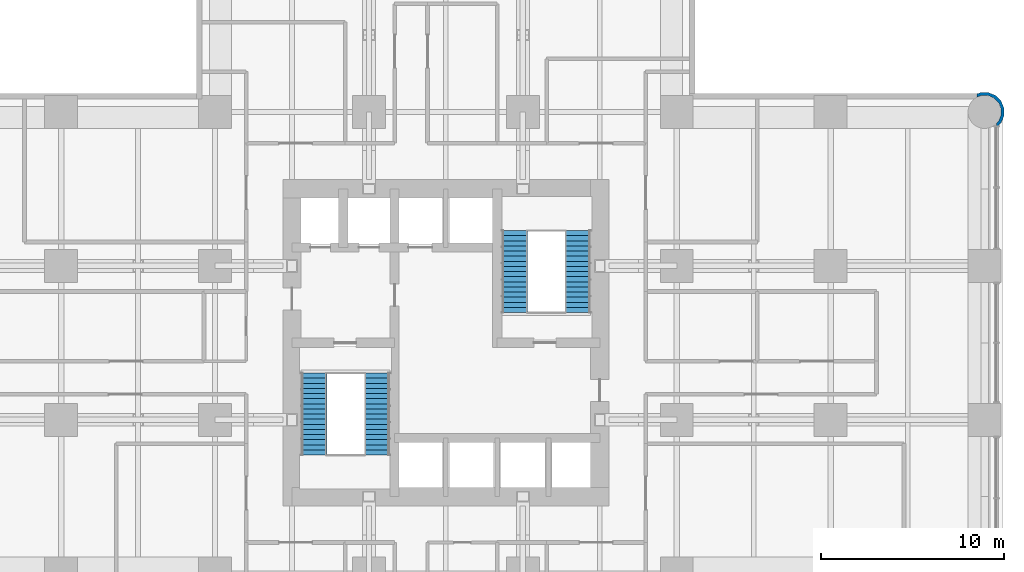
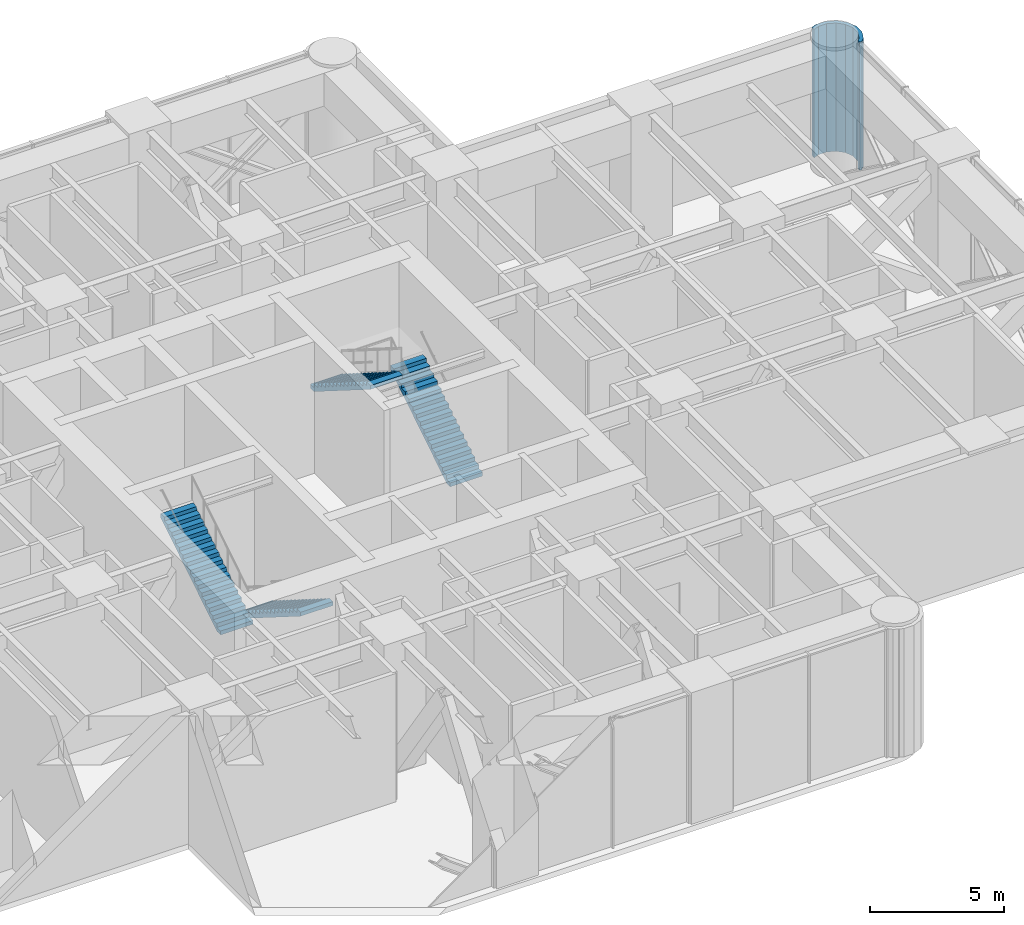
# One storey, part 11 of 13: 4 stair flights, 1 wall, 2 elements without a shape of their own.
"""IFC4 building model written with IfcOpenShell, lengths in metres."""

import ifcopenshell
import ifcopenshell.guid

model = None  # the IFC model being written
_history = None  # IfcOwnerHistory: only IFC2X3 demands one
_inside = {}  # id of a spatial element -> (the spatial element, [elements in it])
_under = {}  # id of a project, library or spatial element -> (it, [spatial elements below it])
_declared = {}  # id of a project -> (the project, [libraries it declares])
_typed = {}  # id of a type object -> (the type object, [elements of that type])
_made_of = {}  # id of a material, layer set ... -> (it, [elements and type objects made of it])


def new_model(schema):
    """Start an empty IFC model of exactly this schema.

    Asked for "IFC4X3", IfcOpenShell would pick the latest addendum, in which some entities
    have other attributes; the version numbers below select the first issue.
    IFC2X3 requires an IfcOwnerHistory on every rooted entity: one is made here for all.
    """
    global model, _history
    if schema == "IFC4X3":
        model = ifcopenshell.file(schema_version=(4, 3, 0, 0))
    else:
        model = ifcopenshell.file(schema=schema)
    _inside.clear()
    _under.clear()
    _declared.clear()
    _typed.clear()
    _made_of.clear()
    _history = None
    if model.schema == "IFC2X3":
        org = make("IfcOrganization", Name="unknown")
        user = make(
            "IfcPersonAndOrganization",
            ThePerson=make("IfcPerson", FamilyName="unknown"),
            TheOrganization=org,
        )
        app = make(
            "IfcApplication",
            ApplicationDeveloper=org,
            Version="unknown",
            ApplicationFullName="unknown",
            ApplicationIdentifier="unknown",
        )
        _history = make(
            "IfcOwnerHistory",
            OwningUser=user,
            OwningApplication=app,
            ChangeAction="ADDED",
            CreationDate=0,
        )
    return model


def make(cls, **values):
    """One entity of the class cls with the attributes given. An attribute that is None is left unset."""
    return model.create_entity(
        cls, **{name: value for name, value in values.items() if value is not None}
    )


def rooted(cls, **values):
    """An entity with a GlobalId (a new one), such as an element, a storey or a relation."""
    return make(cls, GlobalId=ifcopenshell.guid.new(), OwnerHistory=_history, **values)


def si_unit(unit_type, name, prefix=None):
    """IfcSIUnit, for example si_unit("LENGTHUNIT", "METRE", prefix="MILLI")."""
    return make("IfcSIUnit", UnitType=unit_type, Prefix=prefix, Name=name)


def assignment(units):
    """IfcUnitAssignment: the units of a project."""
    return None if units is None else make("IfcUnitAssignment", Units=units)


def point(xyz):
    """IfcCartesianPoint."""
    return None if xyz is None else make("IfcCartesianPoint", Coordinates=xyz)


def direction(xyz):
    """IfcDirection."""
    return None if xyz is None else make("IfcDirection", DirectionRatios=xyz)


def frame(location, z_axis=None, x_axis=None):
    """IfcAxis2Placement3D, a coordinate frame: its origin and axes. An axis left out is left unset."""
    return make(
        "IfcAxis2Placement3D",
        Location=point(location),
        Axis=direction(z_axis),
        RefDirection=direction(x_axis),
    )


def origin():
    """The frame at (0, 0, 0) with its axes left unset."""
    return frame((0.0, 0.0, 0.0))


def place(relative_to, where):
    """IfcLocalPlacement: puts the frame where relative to a parent placement (None: the world)."""
    return make(
        "IfcLocalPlacement", PlacementRelTo=relative_to, RelativePlacement=where
    )


def context(
    kind, dimensions, precision=None, world=None, true_north=None, identifier=None
):
    """IfcGeometricRepresentationContext, for example the 3D "Model" context."""
    return make(
        "IfcGeometricRepresentationContext",
        ContextIdentifier=identifier,
        ContextType=kind,
        CoordinateSpaceDimension=dimensions,
        Precision=precision,
        WorldCoordinateSystem=world,
        TrueNorth=true_north,
    )


def subcontext(parent, identifier, kind, view, scale=None):
    """IfcGeometricRepresentationSubContext, for example "Body" below "Model"."""
    return make(
        "IfcGeometricRepresentationSubContext",
        ContextIdentifier=identifier,
        ContextType=kind,
        ParentContext=parent,
        TargetScale=scale,
        TargetView=view,
    )


def project(units=None, contexts=None):
    """IfcProject with its units and contexts."""
    return rooted(
        "IfcProject",
        Name="project",
        RepresentationContexts=contexts,
        UnitsInContext=assignment(units),
    )


def spatial(cls, under=None, at=None, **own):
    """A site, building, storey or space (cls), placed at a placement, below another one or the project."""
    s = rooted(cls, ObjectPlacement=at, **own)
    if under is not None:
        _under.setdefault(under.id(), (under, []))[1].append(s)
    return s


def polyline(points):
    """IfcPolyline through the points."""
    return make("IfcPolyline", Points=[point(p) for p in points])


def outline(outer, holes=None, kind="AREA"):
    """IfcArbitraryClosedProfileDef: a profile drawn as a closed curve; with holes, ...WithVoids."""
    if holes is None:
        return make("IfcArbitraryClosedProfileDef", ProfileType=kind, OuterCurve=outer)
    return make(
        "IfcArbitraryProfileDefWithVoids",
        ProfileType=kind,
        OuterCurve=outer,
        InnerCurves=holes,
    )


def extrude(swept, where, along, depth):
    """IfcExtrudedAreaSolid: the profile swept, set in the frame where, extruded along a direction by depth."""
    return make(
        "IfcExtrudedAreaSolid",
        SweptArea=swept,
        Position=where,
        ExtrudedDirection=direction(along),
        Depth=depth,
    )


def shape(context_of_items, identifier, shape_type, items):
    """IfcShapeRepresentation: the items that make up one representation, for example the "Body"."""
    return make(
        "IfcShapeRepresentation",
        ContextOfItems=context_of_items,
        RepresentationIdentifier=identifier,
        RepresentationType=shape_type,
        Items=items,
    )


def material(Name=None, Category=None):
    """IfcMaterial."""
    return make("IfcMaterial", Name=Name, Category=Category)


def layer(
    of_material, thickness, ventilated=None, Name=None, Category=None, Priority=None
):
    """IfcMaterialLayer: one layer of a wall or slab, of a material (None: an air gap)."""
    return make(
        "IfcMaterialLayer",
        Material=of_material,
        LayerThickness=thickness,
        IsVentilated=ventilated,
        Name=Name,
        Category=Category,
        Priority=Priority,
    )


def layer_set(layers, Name=None):
    """IfcMaterialLayerSet."""
    return make("IfcMaterialLayerSet", MaterialLayers=layers, LayerSetName=Name)


def made_of(thing, what):
    """Note that an element or type object is made of a material, layer set ...; save() writes the relation."""
    if what is not None:
        _made_of.setdefault(what.id(), (what, []))[1].append(thing)
    return thing


def type_object(cls, material=None, **own):
    """A type object (cls), such as IfcWallType, which elements share."""
    return made_of(rooted(cls, **own), material)


def element(
    cls,
    number,
    at=None,
    inside=None,
    cuts=None,
    type_object=None,
    material=None,
    context=None,
    identifier="Body",
    shape_type=None,
    held_by="IfcProductDefinitionShape",
    body=None,
    shapes=None,
    **own,
):
    """One element of the class cls, such as IfcWall. Its Tag is "e" and its number.

    at: its placement. inside: the storey or other place that contains it. cuts: it is an
    opening in that element (IfcRelVoidsElement). A single representation is given by context,
    identifier, shape_type and body (its items); several are given by shapes. held_by: the class
    of the entity that holds the representations. save() writes the other relations.
    """
    e = rooted(cls, Tag="e%d" % number, ObjectPlacement=at, **own)
    if body is not None:
        shapes = [shape(context, identifier, shape_type, body)]
    if shapes is not None:
        e.Representation = make(held_by, Representations=shapes)
    if inside is not None:
        _inside.setdefault(inside.id(), (inside, []))[1].append(e)
    if cuts is not None:
        rooted(
            "IfcRelVoidsElement", RelatingBuildingElement=cuts, RelatedOpeningElement=e
        )
    if type_object is not None:
        _typed.setdefault(type_object.id(), (type_object, []))[1].append(e)
    return made_of(e, material)


def aggregate(whole, parts):
    """IfcRelAggregates: a whole, such as a stair, and the parts it consists of."""
    return rooted("IfcRelAggregates", RelatingObject=whole, RelatedObjects=parts)


def save(model, path):
    """Write the relations noted so far, then the file.

    IfcRelAggregates (storeys below a building ...), IfcRelContainedInSpatialStructure (elements
    in a storey), IfcRelDefinesByType, IfcRelAssociatesMaterial and IfcRelDeclares: one each for
    every whole, place, type object, material and project.
    """
    for whole, parts in _under.values():
        aggregate(whole, parts)
    for where, things in _inside.values():
        rooted(
            "IfcRelContainedInSpatialStructure",
            RelatedElements=things,
            RelatingStructure=where,
        )
    for kind, things in _typed.values():
        rooted("IfcRelDefinesByType", RelatedObjects=things, RelatingType=kind)
    for what, things in _made_of.values():
        rooted("IfcRelAssociatesMaterial", RelatedObjects=things, RelatingMaterial=what)
    for by, libraries in _declared.values():
        rooted("IfcRelDeclares", RelatingContext=by, RelatedDefinitions=libraries)
    model.write(path)


model = new_model("IFC4")

# Units and contexts
model_context = context("Model", 3, precision=1e-05, world=origin(), true_north=direction((0.0, 1.0)))
body_context = subcontext(model_context, "Body", "Model", "MODEL_VIEW")
ifc_project = project(units=[si_unit("LENGTHUNIT", "METRE"), si_unit("AREAUNIT", "SQUARE_METRE"), si_unit("VOLUMEUNIT", "CUBIC_METRE"), si_unit("PLANEANGLEUNIT", "RADIAN"), si_unit("MASSUNIT", "GRAM", prefix="KILO")], contexts=[model_context])

# Site, building, storey
site_placement = place(None, origin())
site = spatial("IfcSite", under=ifc_project, at=site_placement, CompositionType="ELEMENT")
building_placement = place(site_placement, origin())
building = spatial("IfcBuilding", under=site, at=building_placement, Name="Torre Alcanfor", CompositionType="ELEMENT")
storey_placement = place(building_placement, frame((0.0, 0.0, 177.300048828125)))
storey = spatial("IfcBuildingStorey", under=building, at=storey_placement, Name="L46", CompositionType="ELEMENT", Elevation=177.300048828125)

# Wall
ifc_material_1 = material(Name="Limestone cladding", Category="masonry")
ifc_layer_1 = layer(ifc_material_1, 0.0400390625, Name="Facing")
ifc_material_2 = material(Name="Ventilated air cavity")
ifc_layer_2 = layer(ifc_material_2, 0.02001953125, ventilated=True, Name="Ventilated joint")
ifc_material_3 = material(Name="Mineral wool insulation", Category="insulation")
ifc_layer_3 = layer(ifc_material_3, 0.10009765625, Name="Insulation")
ifc_material_4 = material(Name="Concrete f'c 35 MPa", Category="concrete")
ifc_layer_4 = layer(ifc_material_4, 0.139892578125, Name="Backing")
ifc_layer_set = layer_set([ifc_layer_1, ifc_layer_2, ifc_layer_3, ifc_layer_4], Name="Rounded corner pier stone-clad 300")
wall_type = type_object("IfcWallType", Name="Rounded corner pier stone-clad 300", PredefinedType="SOLIDWALL", material=ifc_layer_set)
wall_placement = place(storey_placement, frame((59.488559409, 41.302657946, 0.0), z_axis=(0.0, 0.0, 1.0), x_axis=(0.924062475919, 0.382241468967, 0.0)))
element("IfcWall", 1, at=wall_placement, inside=storey, type_object=wall_type, Name="Corner pier L46 18", PredefinedType="SOLIDWALL", context=body_context, shape_type="SweptSolid", body=[
    extrude(outline(polyline([(0.5293508886043556, 0.30767273942512774), (0.6904223669823897, 0.6970603940727887), (0.6900141700615268, 1.1188981782581453), (0.5285929766971951, 1.5085273723943107), (0.23021844042269551, 1.8065895503858787), (-0.15939481541537548, 1.9677543494350471), (-0.32773943088603674, 1.967640902679442), (-0.3571926230821969, 1.9845799767233738), (-0.4585471053323854, 1.8085376271176423), (-0.1909117382417268, 1.8085306860402501), (0.140270809280154, 1.6715359408149002), (0.3938331269696971, 1.4184308429365968), (0.5311403059777345, 1.0873899506534732), (0.5312920242587271, 0.72880291808955), (0.3942972790333772, 0.39762037056766913), (0.14087325929352917, 0.14392577235885054), (-0.007744328186177603, 0.0822830503764368), (-0.05748424590083123, -0.037962384112093524), (0.030274617168659, -0.07426412518338857), (0.2310631094223776, 0.009391523821762462), (0.3824548530190298, 0.16077274255269292), (0.40152947563430863, 0.15578870195644817), (0.4102535861523462, 0.18837583712303801), (0.5293508886043556, 0.30767273942512774)])), origin(), (0.0, 0.0, 1.0), 5.849853515625),
])

# Stair, stair flights
ifc_material_5 = material(Name="Concrete f'c 35 MPa", Category="concrete")
stair_type_1 = type_object("IfcStairType", Name="Exit stair S1 1400 wide", PredefinedType="HALF_TURN_STAIR", material=ifc_material_5)
stair_1_placement = place(storey_placement, origin())
stair_1 = element("IfcStair", 2, at=stair_1_placement, inside=storey, type_object=stair_type_1, Name="Stair S1 L46 to L47", PredefinedType="HALF_TURN_STAIR")
ifc_material_6 = material(Name="Concrete f'c 35 MPa", Category="concrete")
stair_flight_type = type_object("IfcStairFlightType", Name="Stair flight 1400", PredefinedType="STRAIGHT", material=ifc_material_6)
stair_flight_1_placement = place(storey_placement, frame((25.64990234375, 27.75, 0.0), z_axis=(0.0, 0.0, 1.0), x_axis=(0.0, -1.0, 0.0)))
stair_flight_1 = element("IfcStairFlight", 3, at=stair_flight_1_placement, type_object=stair_flight_type, Name="S1 flight 1", NumberOfRisers=17, NumberOfTreads=16, PredefinedType="STRAIGHT", RiserHeight=0.176470588, TreadLength=0.28, context=body_context, shape_type="SweptSolid", body=[
    extrude(outline(polyline([(0.0, 0.0), (0.0, 0.176513671875), (0.280029296875, 0.176513671875), (0.280029296875, 0.35302734375), (0.56005859375, 0.35302734375), (0.56005859375, 0.529296875), (0.840087890625, 0.529296875), (0.840087890625, 0.705810546875), (1.1201171875, 0.705810546875), (1.1201171875, 0.88232421875), (1.39990234375, 0.88232421875), (1.39990234375, 1.058837890625), (1.679931640625, 1.058837890625), (1.679931640625, 1.2353515625), (1.9599609375, 1.2353515625), (1.9599609375, 1.411865234375), (2.239990234375, 1.411865234375), (2.239990234375, 1.588134765625), (2.52001953125, 1.588134765625), (2.52001953125, 1.7646484375), (2.800048828125, 1.7646484375), (2.800048828125, 1.941162109375), (3.080078125, 1.941162109375), (3.080078125, 2.11767578125), (3.360107421875, 2.11767578125), (3.360107421875, 2.294189453125), (3.639892578125, 2.294189453125), (3.639892578125, 2.470703125), (3.919921875, 2.470703125), (3.919921875, 2.64697265625), (4.199951171875, 2.64697265625), (4.199951171875, 2.823486328125), (4.47998046875, 2.823486328125), (4.47998046875, 3.0), (4.47998046875, 2.646240234375), (0.28125, 0.0), (0.0, 0.0)])), frame((0.0, 0.699951171875, 0.0), z_axis=(0.0, -1.0, 0.0), x_axis=(1.0, 0.0, 0.0)), (0.0, 0.0, 1.0), 1.39990234375),
])
stair_flight_2_placement = place(storey_placement, frame((22.199951171875, 23.27001953125, 3.0), z_axis=(0.0, 0.0, 1.0), x_axis=(0.0, 1.0, 0.0)))
stair_flight_2 = element("IfcStairFlight", 4, at=stair_flight_2_placement, type_object=stair_flight_type, Name="S1 flight 2", NumberOfRisers=17, NumberOfTreads=16, PredefinedType="STRAIGHT", RiserHeight=0.176470588, TreadLength=0.28, context=body_context, shape_type="SweptSolid", body=[
    extrude(outline(polyline([(0.0, 0.0), (0.0, 0.176513671875), (0.280029296875, 0.176513671875), (0.280029296875, 0.35302734375), (0.56005859375, 0.35302734375), (0.56005859375, 0.529296875), (0.840087890625, 0.529296875), (0.840087890625, 0.705810546875), (1.1201171875, 0.705810546875), (1.1201171875, 0.88232421875), (1.39990234375, 0.88232421875), (1.39990234375, 1.058837890625), (1.679931640625, 1.058837890625), (1.679931640625, 1.2353515625), (1.9599609375, 1.2353515625), (1.9599609375, 1.411865234375), (2.239990234375, 1.411865234375), (2.239990234375, 1.588134765625), (2.52001953125, 1.588134765625), (2.52001953125, 1.7646484375), (2.800048828125, 1.7646484375), (2.800048828125, 1.941162109375), (3.080078125, 1.941162109375), (3.080078125, 2.11767578125), (3.360107421875, 2.11767578125), (3.360107421875, 2.294189453125), (3.639892578125, 2.294189453125), (3.639892578125, 2.470703125), (3.919921875, 2.470703125), (3.919921875, 2.64697265625), (4.199951171875, 2.64697265625), (4.199951171875, 2.823486328125), (4.47998046875, 2.823486328125), (4.47998046875, 3.0), (4.47998046875, 2.646240234375), (0.28125, 0.0), (0.0, 0.0)])), frame((0.0, 0.699951171875, 0.0), z_axis=(0.0, -1.0, 0.0), x_axis=(1.0, 0.0, 0.0)), (0.0, 0.0, 1.0), 1.39990234375),
])
aggregate(stair_1, [stair_flight_1, stair_flight_2])

ifc_material_7 = material(Name="Concrete f'c 35 MPa", Category="concrete")
stair_type_2 = type_object("IfcStairType", Name="Exit stair S2 1400 wide", PredefinedType="HALF_TURN_STAIR", material=ifc_material_7)
stair_2_placement = place(storey_placement, origin())
stair_2 = element("IfcStair", 5, at=stair_2_placement, inside=storey, type_object=stair_type_2, Name="Stair S2 L46 to L47", PredefinedType="HALF_TURN_STAIR")
stair_flight_3_placement = place(storey_placement, frame((36.60009765625, 31.050048828125, 0.0), z_axis=(0.0, 0.0, 1.0), x_axis=(0.0, 1.0, 0.0)))
stair_flight_3 = element("IfcStairFlight", 6, at=stair_flight_3_placement, type_object=stair_flight_type, Name="S2 flight 1", NumberOfRisers=17, NumberOfTreads=16, PredefinedType="STRAIGHT", RiserHeight=0.176470588, TreadLength=0.28, context=body_context, shape_type="SweptSolid", body=[
    extrude(outline(polyline([(0.0, 0.0), (0.0, 0.176513671875), (0.280029296875, 0.176513671875), (0.280029296875, 0.35302734375), (0.56005859375, 0.35302734375), (0.56005859375, 0.529296875), (0.840087890625, 0.529296875), (0.840087890625, 0.705810546875), (1.1201171875, 0.705810546875), (1.1201171875, 0.88232421875), (1.39990234375, 0.88232421875), (1.39990234375, 1.058837890625), (1.679931640625, 1.058837890625), (1.679931640625, 1.2353515625), (1.9599609375, 1.2353515625), (1.9599609375, 1.411865234375), (2.239990234375, 1.411865234375), (2.239990234375, 1.588134765625), (2.52001953125, 1.588134765625), (2.52001953125, 1.7646484375), (2.800048828125, 1.7646484375), (2.800048828125, 1.941162109375), (3.080078125, 1.941162109375), (3.080078125, 2.11767578125), (3.360107421875, 2.11767578125), (3.360107421875, 2.294189453125), (3.639892578125, 2.294189453125), (3.639892578125, 2.470703125), (3.919921875, 2.470703125), (3.919921875, 2.64697265625), (4.199951171875, 2.64697265625), (4.199951171875, 2.823486328125), (4.47998046875, 2.823486328125), (4.47998046875, 3.0), (4.47998046875, 2.646240234375), (0.28125, 0.0), (0.0, 0.0)])), frame((0.0, 0.699951171875, 0.0), z_axis=(0.0, -1.0, 0.0), x_axis=(1.0, 0.0, 0.0)), (0.0, 0.0, 1.0), 1.39990234375),
])
stair_flight_4_placement = place(storey_placement, frame((33.14990234375, 35.530029296875, 3.0), z_axis=(0.0, 0.0, 1.0), x_axis=(0.0, -1.0, 0.0)))
stair_flight_4 = element("IfcStairFlight", 7, at=stair_flight_4_placement, type_object=stair_flight_type, Name="S2 flight 2", NumberOfRisers=17, NumberOfTreads=16, PredefinedType="STRAIGHT", RiserHeight=0.176470588, TreadLength=0.28, context=body_context, shape_type="SweptSolid", body=[
    extrude(outline(polyline([(0.0, 0.0), (0.0, 0.176513671875), (0.280029296875, 0.176513671875), (0.280029296875, 0.35302734375), (0.56005859375, 0.35302734375), (0.56005859375, 0.529296875), (0.840087890625, 0.529296875), (0.840087890625, 0.705810546875), (1.1201171875, 0.705810546875), (1.1201171875, 0.88232421875), (1.39990234375, 0.88232421875), (1.39990234375, 1.058837890625), (1.679931640625, 1.058837890625), (1.679931640625, 1.2353515625), (1.9599609375, 1.2353515625), (1.9599609375, 1.411865234375), (2.239990234375, 1.411865234375), (2.239990234375, 1.588134765625), (2.52001953125, 1.588134765625), (2.52001953125, 1.7646484375), (2.800048828125, 1.7646484375), (2.800048828125, 1.941162109375), (3.080078125, 1.941162109375), (3.080078125, 2.11767578125), (3.360107421875, 2.11767578125), (3.360107421875, 2.294189453125), (3.639892578125, 2.294189453125), (3.639892578125, 2.470703125), (3.919921875, 2.470703125), (3.919921875, 2.64697265625), (4.199951171875, 2.64697265625), (4.199951171875, 2.823486328125), (4.47998046875, 2.823486328125), (4.47998046875, 3.0), (4.47998046875, 2.646240234375), (0.28125, 0.0), (0.0, 0.0)])), frame((0.0, 0.699951171875, 0.0), z_axis=(0.0, -1.0, 0.0), x_axis=(1.0, 0.0, 0.0)), (0.0, 0.0, 1.0), 1.39990234375),
])
aggregate(stair_2, [stair_flight_3, stair_flight_4])

save(model, "model.ifc")
